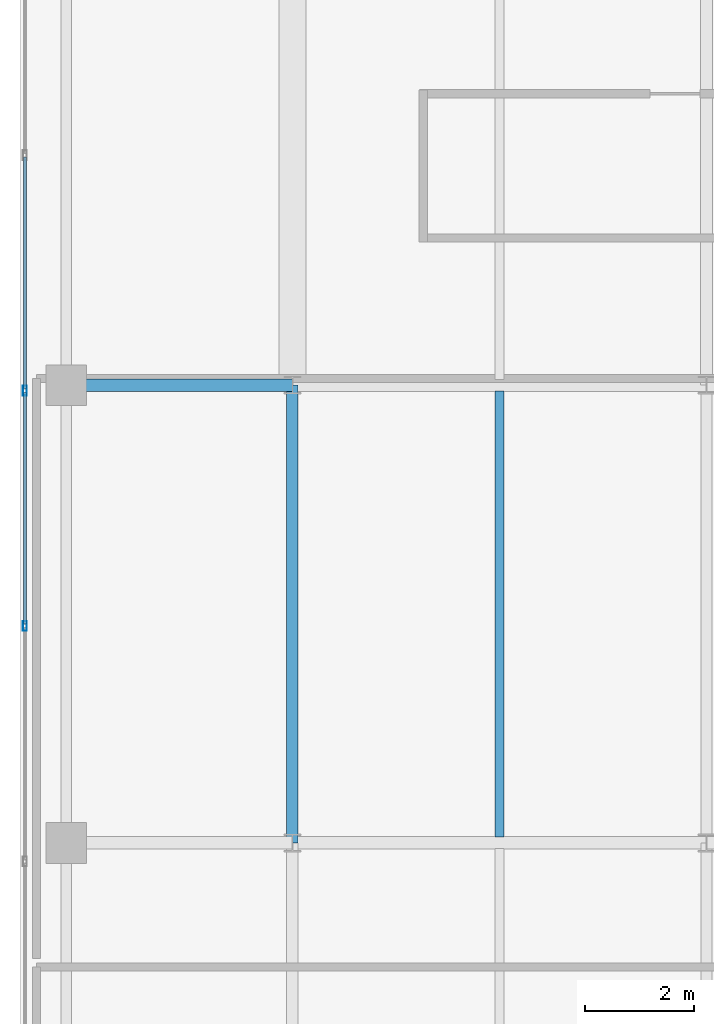
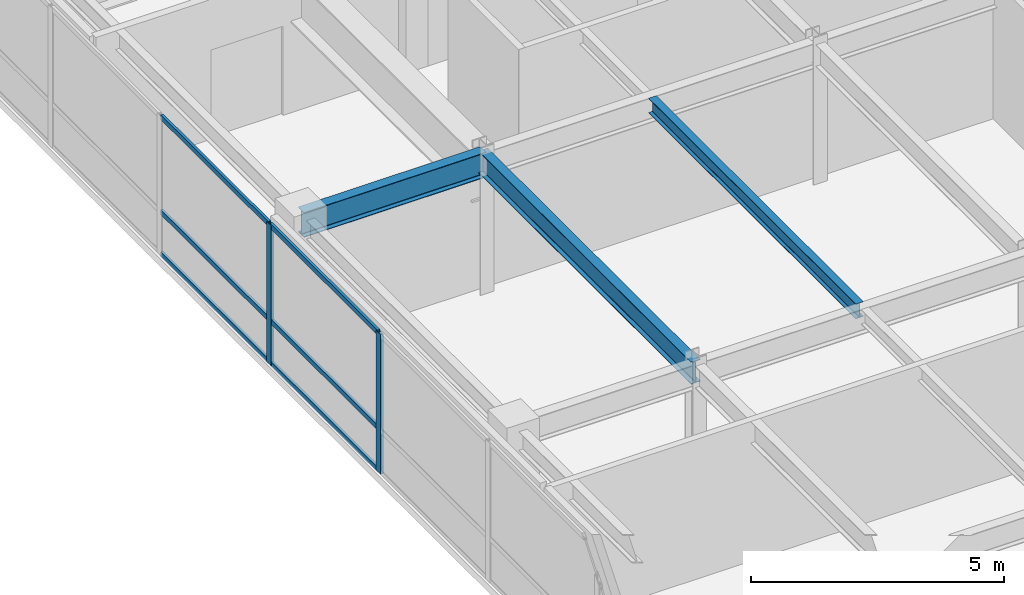
# One storey, part 7 of 19: 8 members, 3 beams, 1 element without a shape of its own.
"""IFC4 building model written with IfcOpenShell, lengths in metres."""

from ifc_helpers import new_model, si_unit, direction, frame, origin, origin_2d, place, context, subcontext, project, spatial, hollow_rectangle, i_section, extrude, source, transform, mapped, material, layer, layer_set, material_profile, profile_set, type_object, type_shapes, element, aggregate, save


model = new_model("IFC4")

# Units and contexts
model_context = context("Model", 3, precision=1e-05, world=origin(), true_north=direction((0.0, 1.0)))
body_context = subcontext(model_context, "Body", "Model", "MODEL_VIEW")
ifc_project = project(units=[si_unit("LENGTHUNIT", "METRE"), si_unit("AREAUNIT", "SQUARE_METRE"), si_unit("VOLUMEUNIT", "CUBIC_METRE"), si_unit("PLANEANGLEUNIT", "RADIAN"), si_unit("MASSUNIT", "GRAM", prefix="KILO")], contexts=[model_context])

# Site, building, storey
site_placement = place(None, origin())
site = spatial("IfcSite", under=ifc_project, at=site_placement, CompositionType="ELEMENT")
building_placement = place(site_placement, origin())
building = spatial("IfcBuilding", under=site, at=building_placement, Name="Tolvann Quenvar Hotel", CompositionType="ELEMENT")
storey_placement = place(building_placement, frame((0.0, 0.0, 223.89990234375)))
storey = spatial("IfcBuildingStorey", under=building, at=storey_placement, Name="L59", CompositionType="ELEMENT", Elevation=223.89990234375)

# Beams
ifc_material_1 = material(Name="Steel Grade 350", Category="steel")
ifc_material_profile_1 = material_profile(ifc_material_1, i_section(OverallWidth=0.208984375, OverallDepth=0.532958984375, WebThickness=0.01025390625, FlangeThickness=0.015625, FilletRadius=0.013916015625, at=origin_2d()), Name="530UB92")
ifc_profile_set_1 = profile_set([ifc_material_profile_1], Name="Steel Grade 350")
beam_type_1 = type_object("IfcBeamType", Name="BM_GIRD_530UB92", PredefinedType="BEAM", material=ifc_profile_set_1)
shared_shape_1 = source(origin(), body_context, "Body", "SweptSolid", [
    extrude(i_section(OverallWidth=0.208984375, OverallDepth=0.532958984375, WebThickness=0.01025390625, FlangeThickness=0.015625, FilletRadius=0.013916015625, at=origin_2d()), origin(), (0.0, 0.0, 1.0), 8.39990234375),
])
type_shapes(beam_type_1, [shared_shape_1])
beam_1_placement = place(storey_placement, frame((7.60009765625, 16.0, 3.103515625), z_axis=(0.0, 1.0, 0.0), x_axis=(-1.0, 0.0, 0.0)))
element("IfcBeam", 1, at=beam_1_placement, inside=storey, type_object=beam_type_1, Name="BM-L59-NS-C4-C5", PredefinedType="BEAM", context=body_context, shape_type="MappedRepresentation", body=[
    mapped(shared_shape_1, transform((0.0, 0.0, 0.0), x_axis=(1.0, 0.0, 0.0), y_axis=(0.0, 1.0, 0.0), z_axis=(0.0, 0.0, 1.0), scale=1.0)),
])
ifc_material_profile_2 = material_profile(ifc_material_1, i_section(OverallWidth=0.22802734375, OverallDepth=0.60205078125, WebThickness=0.010498046875, FlangeThickness=0.014892578125, FilletRadius=0.013916015625, at=origin_2d()), Name="610UB101")
ifc_profile_set_2 = profile_set([ifc_material_profile_2], Name="Steel Grade 350")
beam_type_2 = type_object("IfcBeamType", Name="BM_GIRD_610UB101", PredefinedType="BEAM", material=ifc_profile_set_2)
shared_shape_2 = source(origin(), body_context, "Body", "SweptSolid", [
    extrude(i_section(OverallWidth=0.22802734375, OverallDepth=0.60205078125, WebThickness=0.010498046875, FlangeThickness=0.014892578125, FilletRadius=0.013916015625, at=origin_2d()), origin(), (0.0, 0.0, 1.0), 4.150146484375),
])
type_shapes(beam_type_2, [shared_shape_2])
beam_2_placement = place(storey_placement, frame((3.449951171875, 24.39990234375, 3.069091796875), z_axis=(1.0, 0.0, 0.0), x_axis=(0.0, 1.0, 0.0)))
element("IfcBeam", 2, at=beam_2_placement, inside=storey, type_object=beam_type_2, Name="BM-L59-EW-5-B5-C5", PredefinedType="BEAM", context=body_context, shape_type="MappedRepresentation", body=[
    mapped(shared_shape_2, transform((0.0, 0.0, 0.0), x_axis=(1.0, 0.0, 0.0), y_axis=(0.0, 1.0, 0.0), z_axis=(0.0, 0.0, 1.0), scale=1.0)),
])
ifc_material_profile_3 = material_profile(ifc_material_1, i_section(OverallWidth=0.172119140625, OverallDepth=0.35888671875, WebThickness=0.008056640625, FlangeThickness=0.012939453125, FilletRadius=0.011474609375, at=origin_2d()), Name="360UB57")
ifc_profile_set_3 = profile_set([ifc_material_profile_3], Name="Steel Grade 350")
beam_type_3 = type_object("IfcBeamType", Name="BM_JOIST_360UB57", PredefinedType="JOIST", material=ifc_profile_set_3)
shared_shape_3 = source(origin(), body_context, "Body", "SweptSolid", [
    extrude(i_section(OverallWidth=0.172119140625, OverallDepth=0.35888671875, WebThickness=0.008056640625, FlangeThickness=0.012939453125, FilletRadius=0.011474609375, at=origin_2d()), origin(), (0.0, 0.0, 1.0), 8.18408203125),
])
type_shapes(beam_type_3, [shared_shape_3])
beam_3_placement = place(storey_placement, frame((11.39990234375, 16.10791015625, 3.190673828125), z_axis=(0.0, 1.0, 0.0), x_axis=(-1.0, 0.0, 0.0)))
element("IfcBeam", 3, at=beam_3_placement, inside=storey, type_object=beam_type_3, Name="BJ-L59-114-160", PredefinedType="JOIST", context=body_context, shape_type="MappedRepresentation", body=[
    mapped(shared_shape_3, transform((0.0, 0.0, 0.0), x_axis=(1.0, 0.0, 0.0), y_axis=(0.0, 1.0, 0.0), z_axis=(0.0, 0.0, 1.0), scale=1.0)),
])

# Curtain wall, members
ifc_material_2 = material(Name="Thermally broken anodised architectural aluminium 6063-T6 and laminated low-E glass", Category="aluminium")
ifc_layer = layer(ifc_material_2, 0.179931640625)
ifc_layer_set = layer_set([ifc_layer], Name="Thermally broken anodised architectural aluminium 6063-T6 and laminated low-E glass")
curtain_wall_type = type_object("IfcCurtainWallType", Name="CW_SYS_BAND_04", PredefinedType="USERDEFINED", material=ifc_layer_set)
curtain_wall_placement = place(storey_placement, origin())
curtain_wall = element("IfcCurtainWall", 4, at=curtain_wall_placement, inside=storey, type_object=curtain_wall_type, Name="Curtain Wall CW-BAND-04 (CWR-L59-E19)", ObjectType="UNITISED CURTAIN WALL", PredefinedType="USERDEFINED")
ifc_material_3 = material(Name="Anodised architectural aluminium 6063-T6 framing", Category="aluminium")
ifc_material_profile_4 = material_profile(ifc_material_3, hollow_rectangle(XDim=0.070068359375, YDim=0.179931640625, WallThickness=0.00390625, at=origin_2d()), Name="180x70x4RHS")
ifc_profile_set_4 = profile_set([ifc_material_profile_4], Name="Anodised architectural aluminium 6063-T6 framing")
member_type_1 = type_object("IfcMemberType", Name="CW_MULL_180x70", PredefinedType="MULLION", material=ifc_profile_set_4)
shared_shape_4 = source(origin(), body_context, "Body", "SweptSolid", [
    extrude(hollow_rectangle(XDim=0.070068359375, YDim=0.179931640625, WallThickness=0.00390625, at=origin_2d()), origin(), (0.0, 0.0, 1.0), 3.3701171875),
])
type_shapes(member_type_1, [shared_shape_4])
member_1_placement = place(storey_placement, frame((2.68994140625, 24.300048828125, 0.0), z_axis=(0.0, 0.0, 1.0), x_axis=(1.0, 0.0, 0.0)))
member_1 = element("IfcMember", 5, at=member_1_placement, type_object=member_type_1, Name="CW-BAND-04 mullion 5", PredefinedType="MULLION", context=body_context, shape_type="MappedRepresentation", body=[
    mapped(shared_shape_4, transform((0.0, 0.0, 0.0), x_axis=(1.0, 0.0, 0.0), y_axis=(0.0, 1.0, 0.0), z_axis=(0.0, 0.0, 1.0), scale=1.0)),
])
member_2_placement = place(storey_placement, frame((2.68994140625, 19.979248046875, 0.0), z_axis=(0.0, 0.0, 1.0), x_axis=(1.0, 0.0, 0.0)))
member_2 = element("IfcMember", 6, at=member_2_placement, type_object=member_type_1, Name="CW-BAND-04 mullion 6", PredefinedType="MULLION", context=body_context, shape_type="MappedRepresentation", body=[
    mapped(shared_shape_4, transform((0.0, 0.0, 0.0), x_axis=(1.0, 0.0, 0.0), y_axis=(0.0, 1.0, 0.0), z_axis=(0.0, 0.0, 1.0), scale=1.0)),
])
ifc_material_profile_5 = material_profile(ifc_material_3, hollow_rectangle(XDim=0.06005859375, YDim=0.1201171875, WallThickness=0.00341796875, at=origin_2d()), Name="120x60x3.5RHS")
ifc_profile_set_5 = profile_set([ifc_material_profile_5], Name="Anodised architectural aluminium 6063-T6 framing")
member_type_2 = type_object("IfcMemberType", Name="CW_TRAN_120x60", PredefinedType="USERDEFINED", material=ifc_profile_set_5)
shared_shape_5 = source(origin(), body_context, "Body", "SweptSolid", [
    extrude(hollow_rectangle(XDim=0.06005859375, YDim=0.1201171875, WallThickness=0.00341796875, at=origin_2d()), origin(), (0.0, 0.0, 1.0), 4.250732421875),
])
member_3_placement = place(storey_placement, frame((2.68994140625, 28.585693359375, 0.030029296875), z_axis=(0.0, -1.0, 0.0), x_axis=(1.0, 0.0, 0.0)))
member_3 = element("IfcMember", 7, at=member_3_placement, type_object=member_type_2, Name="CW-BAND-04 transom 4.1", ObjectType="TRANSOM", PredefinedType="USERDEFINED", context=body_context, shape_type="MappedRepresentation", body=[
    mapped(shared_shape_5, transform((0.0, 0.0, 0.0), x_axis=(1.0, 0.0, 0.0), y_axis=(0.0, 1.0, 0.0), z_axis=(0.0, 0.0, 1.0), scale=1.0)),
])
member_4_placement = place(storey_placement, frame((2.68994140625, 28.585693359375, 1.050048828125), z_axis=(0.0, -1.0, 0.0), x_axis=(1.0, 0.0, 0.0)))
member_4 = element("IfcMember", 8, at=member_4_placement, type_object=member_type_2, Name="CW-BAND-04 transom 4.2", ObjectType="TRANSOM", PredefinedType="USERDEFINED", context=body_context, shape_type="MappedRepresentation", body=[
    mapped(shared_shape_5, transform((0.0, 0.0, 0.0), x_axis=(1.0, 0.0, 0.0), y_axis=(0.0, 1.0, 0.0), z_axis=(0.0, 0.0, 1.0), scale=1.0)),
])
member_5_placement = place(storey_placement, frame((2.68994140625, 28.585693359375, 3.340087890625), z_axis=(0.0, -1.0, 0.0), x_axis=(1.0, 0.0, 0.0)))
member_5 = element("IfcMember", 9, at=member_5_placement, type_object=member_type_2, Name="CW-BAND-04 transom 4.3", ObjectType="TRANSOM", PredefinedType="USERDEFINED", context=body_context, shape_type="MappedRepresentation", body=[
    mapped(shared_shape_5, transform((0.0, 0.0, 0.0), x_axis=(1.0, 0.0, 0.0), y_axis=(0.0, 1.0, 0.0), z_axis=(0.0, 0.0, 1.0), scale=1.0)),
])
shared_shape_6 = source(origin(), body_context, "Body", "SweptSolid", [
    extrude(hollow_rectangle(XDim=0.06005859375, YDim=0.1201171875, WallThickness=0.00341796875, at=origin_2d()), origin(), (0.0, 0.0, 1.0), 4.25048828125),
])
type_shapes(member_type_2, [shared_shape_5, shared_shape_6])
member_6_placement = place(storey_placement, frame((2.68994140625, 24.264892578125, 0.030029296875), z_axis=(0.0, -1.0, 0.0), x_axis=(1.0, 0.0, 0.0)))
member_6 = element("IfcMember", 10, at=member_6_placement, type_object=member_type_2, Name="CW-BAND-04 transom 5.1", ObjectType="TRANSOM", PredefinedType="USERDEFINED", context=body_context, shape_type="MappedRepresentation", body=[
    mapped(shared_shape_6, transform((0.0, 0.0, 0.0), x_axis=(1.0, 0.0, 0.0), y_axis=(0.0, 1.0, 0.0), z_axis=(0.0, 0.0, 1.0), scale=1.0)),
])
member_7_placement = place(storey_placement, frame((2.68994140625, 24.264892578125, 1.050048828125), z_axis=(0.0, -1.0, 0.0), x_axis=(1.0, 0.0, 0.0)))
member_7 = element("IfcMember", 11, at=member_7_placement, type_object=member_type_2, Name="CW-BAND-04 transom 5.2", ObjectType="TRANSOM", PredefinedType="USERDEFINED", context=body_context, shape_type="MappedRepresentation", body=[
    mapped(shared_shape_6, transform((0.0, 0.0, 0.0), x_axis=(1.0, 0.0, 0.0), y_axis=(0.0, 1.0, 0.0), z_axis=(0.0, 0.0, 1.0), scale=1.0)),
])
member_8_placement = place(storey_placement, frame((2.68994140625, 24.264892578125, 3.340087890625), z_axis=(0.0, -1.0, 0.0), x_axis=(1.0, 0.0, 0.0)))
member_8 = element("IfcMember", 12, at=member_8_placement, type_object=member_type_2, Name="CW-BAND-04 transom 5.3", ObjectType="TRANSOM", PredefinedType="USERDEFINED", context=body_context, shape_type="MappedRepresentation", body=[
    mapped(shared_shape_6, transform((0.0, 0.0, 0.0), x_axis=(1.0, 0.0, 0.0), y_axis=(0.0, 1.0, 0.0), z_axis=(0.0, 0.0, 1.0), scale=1.0)),
])
aggregate(curtain_wall, [member_1, member_2, member_3, member_4, member_5, member_6, member_7, member_8])

save(model, "model.ifc")
